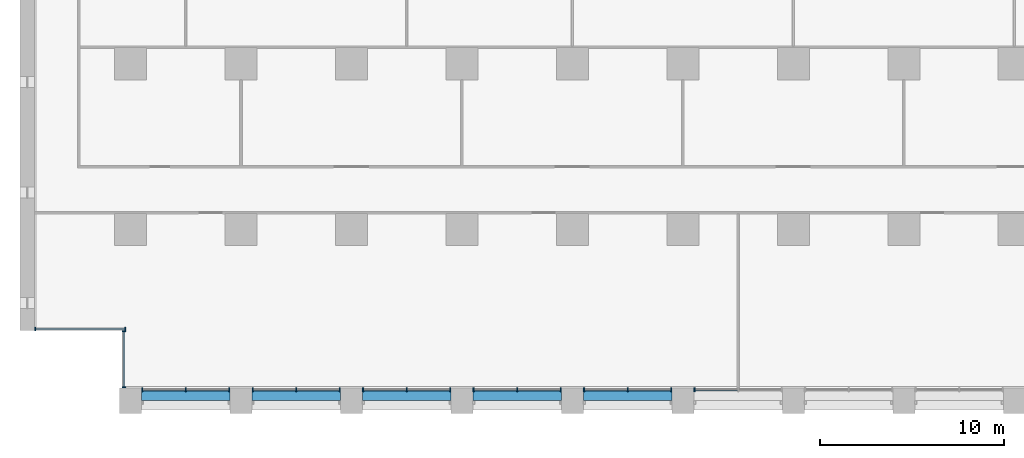
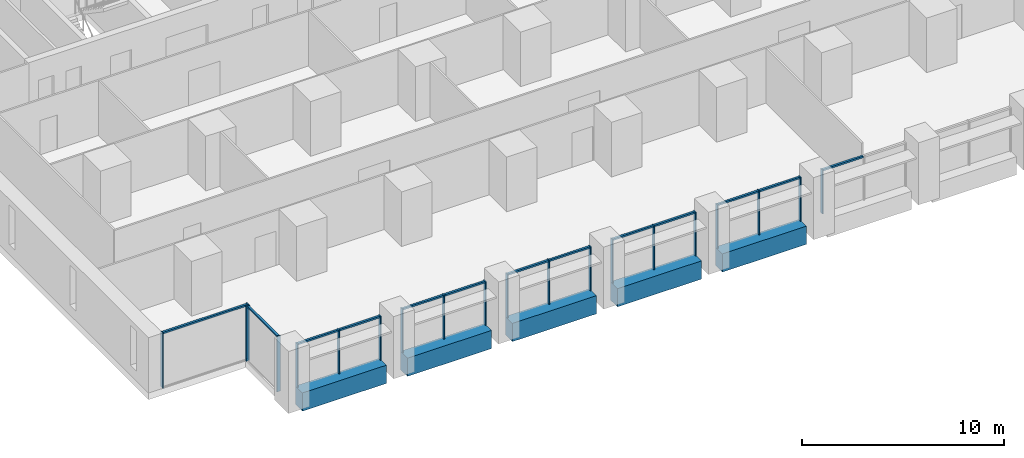
# One storey, part 2 of 18: 33 members, 5 beams, 8 elements without a shape of their own.
"""IFC4 building model written with IfcOpenShell, lengths in metres."""

from ifc_helpers import new_model, si_unit, direction, frame, origin, origin_2d, place, context, subcontext, project, spatial, rectangle, extrude, material, material_profile, profile_set, type_object, element, aggregate, save


model = new_model("IFC4")

# Units and contexts
model_context = context("Model", 3, precision=1e-05, world=origin(), true_north=direction((0.0, 1.0)))
body_context = subcontext(model_context, "Body", "Model", "MODEL_VIEW")
ifc_project = project(units=[si_unit("LENGTHUNIT", "METRE"), si_unit("AREAUNIT", "SQUARE_METRE"), si_unit("VOLUMEUNIT", "CUBIC_METRE"), si_unit("PLANEANGLEUNIT", "RADIAN"), si_unit("MASSUNIT", "GRAM", prefix="KILO")], contexts=[model_context])

# Site, building, storey
site_placement = place(None, origin())
site = spatial("IfcSite", under=ifc_project, at=site_placement, CompositionType="ELEMENT")
building_placement = place(site_placement, origin())
building = spatial("IfcBuilding", under=site, at=building_placement, Name="Calvaro Tower", CompositionType="ELEMENT")
storey_placement = place(building_placement, frame((0.0, 0.0, 41.25)))
storey = spatial("IfcBuildingStorey", under=building, at=storey_placement, Name="L09", CompositionType="ELEMENT", Elevation=41.25)

# Curtain wall, members
ifc_material_1 = material(Name="Anodised aluminium", Category="aluminium")
curtain_wall_type = type_object("IfcCurtainWallType", Name="Office curtain wall, lower zone", PredefinedType="NOTDEFINED", material=ifc_material_1)
curtain_wall_1_placement = place(storey_placement, origin())
curtain_wall_1 = element("IfcCurtainWall", 1, at=curtain_wall_1_placement, inside=storey, type_object=curtain_wall_type, Name="CW1 south curtain wall", PredefinedType="NOTDEFINED")
ifc_material_2 = material(Name="Anodised aluminium", Category="aluminium")
ifc_material_profile_1 = material_profile(ifc_material_2, rectangle(XDim=0.199951171875, YDim=0.06005859375, at=origin_2d()), Name="Mullion S1 60 x 200")
ifc_profile_set_1 = profile_set([ifc_material_profile_1], Name="Anodised aluminium")
member_type_1 = type_object("IfcMemberType", Name="Mullion S1 60 x 200", PredefinedType="MULLION", material=ifc_profile_set_1)
member_1_placement = place(storey_placement, frame((6.6298828125, 1.300048828125, 0.0), z_axis=(0.0, 0.0, 1.0), x_axis=(0.0, 1.0, 0.0)))
member_1 = element("IfcMember", 2, at=member_1_placement, type_object=member_type_1, Name="CW1 mullion 1", PredefinedType="MULLION", context=body_context, shape_type="SweptSolid", body=[
    extrude(rectangle(XDim=0.199951171875, YDim=0.06005859375, at=origin_2d()), origin(), (0.0, 0.0, 1.0), 2.64990234375),
])
member_2_placement = place(storey_placement, frame((9.0, 1.300048828125, 0.0), z_axis=(0.0, 0.0, 1.0), x_axis=(0.0, 1.0, 0.0)))
member_2 = element("IfcMember", 3, at=member_2_placement, type_object=member_type_1, Name="CW1 mullion 2", PredefinedType="MULLION", context=body_context, shape_type="SweptSolid", body=[
    extrude(rectangle(XDim=0.199951171875, YDim=0.06005859375, at=origin_2d()), origin(), (0.0, 0.0, 1.0), 2.64990234375),
])
member_3_placement = place(storey_placement, frame((11.3701171875, 1.300048828125, 0.0), z_axis=(0.0, 0.0, 1.0), x_axis=(0.0, 1.0, 0.0)))
member_3 = element("IfcMember", 4, at=member_3_placement, type_object=member_type_1, Name="CW1 mullion 3", PredefinedType="MULLION", context=body_context, shape_type="SweptSolid", body=[
    extrude(rectangle(XDim=0.199951171875, YDim=0.06005859375, at=origin_2d()), origin(), (0.0, 0.0, 1.0), 2.64990234375),
])

curtain_wall_2_placement = place(storey_placement, origin())
curtain_wall_2 = element("IfcCurtainWall", 5, at=curtain_wall_2_placement, inside=storey, type_object=curtain_wall_type, Name="CW1 south curtain wall", PredefinedType="NOTDEFINED")
member_4_placement = place(storey_placement, frame((12.6298828125, 1.300048828125, 0.0), z_axis=(0.0, 0.0, 1.0), x_axis=(0.0, 1.0, 0.0)))
member_4 = element("IfcMember", 6, at=member_4_placement, type_object=member_type_1, Name="CW1 mullion 1", PredefinedType="MULLION", context=body_context, shape_type="SweptSolid", body=[
    extrude(rectangle(XDim=0.199951171875, YDim=0.06005859375, at=origin_2d()), origin(), (0.0, 0.0, 1.0), 2.64990234375),
])
member_5_placement = place(storey_placement, frame((15.0, 1.300048828125, 0.0), z_axis=(0.0, 0.0, 1.0), x_axis=(0.0, 1.0, 0.0)))
member_5 = element("IfcMember", 7, at=member_5_placement, type_object=member_type_1, Name="CW1 mullion 2", PredefinedType="MULLION", context=body_context, shape_type="SweptSolid", body=[
    extrude(rectangle(XDim=0.199951171875, YDim=0.06005859375, at=origin_2d()), origin(), (0.0, 0.0, 1.0), 2.64990234375),
])
member_6_placement = place(storey_placement, frame((17.3701171875, 1.300048828125, 0.0), z_axis=(0.0, 0.0, 1.0), x_axis=(0.0, 1.0, 0.0)))
member_6 = element("IfcMember", 8, at=member_6_placement, type_object=member_type_1, Name="CW1 mullion 3", PredefinedType="MULLION", context=body_context, shape_type="SweptSolid", body=[
    extrude(rectangle(XDim=0.199951171875, YDim=0.06005859375, at=origin_2d()), origin(), (0.0, 0.0, 1.0), 2.64990234375),
])

curtain_wall_3_placement = place(storey_placement, origin())
curtain_wall_3 = element("IfcCurtainWall", 9, at=curtain_wall_3_placement, inside=storey, type_object=curtain_wall_type, Name="CW1 south curtain wall", PredefinedType="NOTDEFINED")
member_7_placement = place(storey_placement, frame((18.6298828125, 1.300048828125, 0.0), z_axis=(0.0, 0.0, 1.0), x_axis=(0.0, 1.0, 0.0)))
member_7 = element("IfcMember", 10, at=member_7_placement, type_object=member_type_1, Name="CW1 mullion 1", PredefinedType="MULLION", context=body_context, shape_type="SweptSolid", body=[
    extrude(rectangle(XDim=0.199951171875, YDim=0.06005859375, at=origin_2d()), origin(), (0.0, 0.0, 1.0), 2.64990234375),
])
member_8_placement = place(storey_placement, frame((21.0, 1.300048828125, 0.0), z_axis=(0.0, 0.0, 1.0), x_axis=(0.0, 1.0, 0.0)))
member_8 = element("IfcMember", 11, at=member_8_placement, type_object=member_type_1, Name="CW1 mullion 2", PredefinedType="MULLION", context=body_context, shape_type="SweptSolid", body=[
    extrude(rectangle(XDim=0.199951171875, YDim=0.06005859375, at=origin_2d()), origin(), (0.0, 0.0, 1.0), 2.64990234375),
])
member_9_placement = place(storey_placement, frame((23.3701171875, 1.300048828125, 0.0), z_axis=(0.0, 0.0, 1.0), x_axis=(0.0, 1.0, 0.0)))
member_9 = element("IfcMember", 12, at=member_9_placement, type_object=member_type_1, Name="CW1 mullion 3", PredefinedType="MULLION", context=body_context, shape_type="SweptSolid", body=[
    extrude(rectangle(XDim=0.199951171875, YDim=0.06005859375, at=origin_2d()), origin(), (0.0, 0.0, 1.0), 2.64990234375),
])

curtain_wall_4_placement = place(storey_placement, origin())
curtain_wall_4 = element("IfcCurtainWall", 13, at=curtain_wall_4_placement, inside=storey, type_object=curtain_wall_type, Name="CW1 south curtain wall", PredefinedType="NOTDEFINED")
member_10_placement = place(storey_placement, frame((24.6298828125, 1.300048828125, 0.0), z_axis=(0.0, 0.0, 1.0), x_axis=(0.0, 1.0, 0.0)))
member_10 = element("IfcMember", 14, at=member_10_placement, type_object=member_type_1, Name="CW1 mullion 1", PredefinedType="MULLION", context=body_context, shape_type="SweptSolid", body=[
    extrude(rectangle(XDim=0.199951171875, YDim=0.06005859375, at=origin_2d()), origin(), (0.0, 0.0, 1.0), 2.64990234375),
])
member_11_placement = place(storey_placement, frame((27.0, 1.300048828125, 0.0), z_axis=(0.0, 0.0, 1.0), x_axis=(0.0, 1.0, 0.0)))
member_11 = element("IfcMember", 15, at=member_11_placement, type_object=member_type_1, Name="CW1 mullion 2", PredefinedType="MULLION", context=body_context, shape_type="SweptSolid", body=[
    extrude(rectangle(XDim=0.199951171875, YDim=0.06005859375, at=origin_2d()), origin(), (0.0, 0.0, 1.0), 2.64990234375),
])
member_12_placement = place(storey_placement, frame((29.3701171875, 1.300048828125, 0.0), z_axis=(0.0, 0.0, 1.0), x_axis=(0.0, 1.0, 0.0)))
member_12 = element("IfcMember", 16, at=member_12_placement, type_object=member_type_1, Name="CW1 mullion 3", PredefinedType="MULLION", context=body_context, shape_type="SweptSolid", body=[
    extrude(rectangle(XDim=0.199951171875, YDim=0.06005859375, at=origin_2d()), origin(), (0.0, 0.0, 1.0), 2.64990234375),
])

curtain_wall_5_placement = place(storey_placement, origin())
curtain_wall_5 = element("IfcCurtainWall", 17, at=curtain_wall_5_placement, inside=storey, type_object=curtain_wall_type, Name="CW1 south curtain wall", PredefinedType="NOTDEFINED")
member_13_placement = place(storey_placement, frame((30.6298828125, 1.300048828125, 0.0), z_axis=(0.0, 0.0, 1.0), x_axis=(0.0, 1.0, 0.0)))
member_13 = element("IfcMember", 18, at=member_13_placement, type_object=member_type_1, Name="CW1 mullion 1", PredefinedType="MULLION", context=body_context, shape_type="SweptSolid", body=[
    extrude(rectangle(XDim=0.199951171875, YDim=0.06005859375, at=origin_2d()), origin(), (0.0, 0.0, 1.0), 2.64990234375),
])
member_14_placement = place(storey_placement, frame((33.0, 1.300048828125, 0.0), z_axis=(0.0, 0.0, 1.0), x_axis=(0.0, 1.0, 0.0)))
member_14 = element("IfcMember", 19, at=member_14_placement, type_object=member_type_1, Name="CW1 mullion 2", PredefinedType="MULLION", context=body_context, shape_type="SweptSolid", body=[
    extrude(rectangle(XDim=0.199951171875, YDim=0.06005859375, at=origin_2d()), origin(), (0.0, 0.0, 1.0), 2.64990234375),
])
member_15_placement = place(storey_placement, frame((35.3701171875, 1.300048828125, 0.0), z_axis=(0.0, 0.0, 1.0), x_axis=(0.0, 1.0, 0.0)))
member_15 = element("IfcMember", 20, at=member_15_placement, type_object=member_type_1, Name="CW1 mullion 3", PredefinedType="MULLION", context=body_context, shape_type="SweptSolid", body=[
    extrude(rectangle(XDim=0.199951171875, YDim=0.06005859375, at=origin_2d()), origin(), (0.0, 0.0, 1.0), 2.64990234375),
])

# Curtain wall, member
curtain_wall_6_placement = place(storey_placement, origin())
curtain_wall_6 = element("IfcCurtainWall", 21, at=curtain_wall_6_placement, inside=storey, type_object=curtain_wall_type, Name="CW1 south curtain wall", PredefinedType="NOTDEFINED")
member_16_placement = place(storey_placement, frame((36.6298828125, 1.300048828125, 0.0), z_axis=(0.0, 0.0, 1.0), x_axis=(0.0, 1.0, 0.0)))
member_16 = element("IfcMember", 22, at=member_16_placement, type_object=member_type_1, Name="CW1 mullion 1", PredefinedType="MULLION", context=body_context, shape_type="SweptSolid", body=[
    extrude(rectangle(XDim=0.199951171875, YDim=0.06005859375, at=origin_2d()), origin(), (0.0, 0.0, 1.0), 2.64990234375),
])

# Curtain wall, members
curtain_wall_7_placement = place(storey_placement, origin())
curtain_wall_7 = element("IfcCurtainWall", 23, at=curtain_wall_7_placement, inside=storey, type_object=curtain_wall_type, Name="CW1 corner curtain wall", PredefinedType="NOTDEFINED")
member_17_placement = place(storey_placement, frame((5.64990234375, 1.429931640625, 0.0), z_axis=(0.0, 0.0, 1.0), x_axis=(-1.0, 0.0, 0.0)))
member_17 = element("IfcMember", 24, at=member_17_placement, type_object=member_type_1, Name="CW1 mullion 1", PredefinedType="MULLION", context=body_context, shape_type="SweptSolid", body=[
    extrude(rectangle(XDim=0.199951171875, YDim=0.06005859375, at=origin_2d()), origin(), (0.0, 0.0, 1.0), 3.35009765625),
])
member_18_placement = place(storey_placement, frame((5.64990234375, 4.469970703125, 0.0), z_axis=(0.0, 0.0, 1.0), x_axis=(-1.0, 0.0, 0.0)))
member_18 = element("IfcMember", 25, at=member_18_placement, type_object=member_type_1, Name="CW1 mullion 2", PredefinedType="MULLION", context=body_context, shape_type="SweptSolid", body=[
    extrude(rectangle(XDim=0.199951171875, YDim=0.06005859375, at=origin_2d()), origin(), (0.0, 0.0, 1.0), 3.35009765625),
])

curtain_wall_8_placement = place(storey_placement, origin())
curtain_wall_8 = element("IfcCurtainWall", 26, at=curtain_wall_8_placement, inside=storey, type_object=curtain_wall_type, Name="CW1 corner curtain wall", PredefinedType="NOTDEFINED")
member_19_placement = place(storey_placement, frame((0.830078125, 4.60009765625, 0.0), z_axis=(0.0, 0.0, 1.0), x_axis=(0.0, 1.0, 0.0)))
member_19 = element("IfcMember", 27, at=member_19_placement, type_object=member_type_1, Name="CW1 mullion 1", PredefinedType="MULLION", context=body_context, shape_type="SweptSolid", body=[
    extrude(rectangle(XDim=0.199951171875, YDim=0.06005859375, at=origin_2d()), origin(), (0.0, 0.0, 1.0), 3.35009765625),
])
member_20_placement = place(storey_placement, frame((5.719970703125, 4.60009765625, 0.0), z_axis=(0.0, 0.0, 1.0), x_axis=(0.0, 1.0, 0.0)))
member_20 = element("IfcMember", 28, at=member_20_placement, type_object=member_type_1, Name="CW1 mullion 2", PredefinedType="MULLION", context=body_context, shape_type="SweptSolid", body=[
    extrude(rectangle(XDim=0.199951171875, YDim=0.06005859375, at=origin_2d()), origin(), (0.0, 0.0, 1.0), 3.35009765625),
])

# Beams
ifc_material_3 = material(Name="Concrete C50/60 precast", Category="concrete")
ifc_material_profile_2 = material_profile(ifc_material_3, rectangle(XDim=0.699951171875, YDim=1.10009765625, at=origin_2d()), Name="RC 700x1100")
ifc_profile_set_2 = profile_set([ifc_material_profile_2], Name="Concrete C50/60 precast")
beam_type = type_object("IfcBeamType", Name="Spandrel beam 700x1100 C50/60", PredefinedType="SPANDREL", material=ifc_profile_set_2)
for number, where, z_axis, x_axis, name in (
    (29, (6.60009765625, 1.050048828125, -0.550048828125), (1.0, 0.0, 0.0), (0.0, 1.0, 0.0), "Spandrel beam"),
    (30, (12.60009765625, 1.050048828125, -0.550048828125), (1.0, 0.0, 0.0), (0.0, 1.0, 0.0), "Spandrel beam"),
    (31, (18.60009765625, 1.050048828125, -0.550048828125), (1.0, 0.0, 0.0), (0.0, 1.0, 0.0), "Spandrel beam"),
    (32, (24.60009765625, 1.050048828125, -0.550048828125), (1.0, 0.0, 0.0), (0.0, 1.0, 0.0), "Spandrel beam"),
    (33, (30.60009765625, 1.050048828125, -0.550048828125), (1.0, 0.0, 0.0), (0.0, 1.0, 0.0), "Spandrel beam"),
):
    element("IfcBeam", number, at=place(storey_placement, frame(where, z_axis=z_axis, x_axis=x_axis)), inside=storey, type_object=beam_type, Name=name, PredefinedType="SPANDREL", context=body_context, shape_type="SweptSolid", body=[
        extrude(rectangle(XDim=0.699951171875, YDim=1.10009765625, at=origin_2d()), origin(), (0.0, 0.0, 1.0), 4.7998046875),
    ])

# Member
ifc_material_4 = material(Name="Anodised aluminium", Category="aluminium")
ifc_material_profile_3 = material_profile(ifc_material_4, rectangle(XDim=0.1201171875, YDim=0.10009765625, at=origin_2d()), Name="Transom S1 100 x 120")
ifc_profile_set_3 = profile_set([ifc_material_profile_3], Name="Anodised aluminium")
member_type_2 = type_object("IfcMemberType", Name="Transom S1 100 x 120", PredefinedType="USERDEFINED", material=ifc_profile_set_3)
member_21_placement = place(storey_placement, frame((6.659912109375, 1.300048828125, 2.60009765625), z_axis=(1.0, 0.0, 0.0), x_axis=(0.0, 1.0, 0.0)))
member_21 = element("IfcMember", 34, at=member_21_placement, type_object=member_type_2, Name="CW1 transom 1.1", ObjectType="TRANSOM", PredefinedType="USERDEFINED", context=body_context, shape_type="SweptSolid", body=[
    extrude(rectangle(XDim=0.1201171875, YDim=0.10009765625, at=origin_2d()), origin(), (0.0, 0.0, 1.0), 2.31005859375),
])

member_22_placement = place(storey_placement, frame((9.030029296875, 1.300048828125, 2.60009765625), z_axis=(1.0, 0.0, 0.0), x_axis=(0.0, 1.0, 0.0)))
member_22 = element("IfcMember", 35, at=member_22_placement, type_object=member_type_2, Name="CW1 transom 2.1", ObjectType="TRANSOM", PredefinedType="USERDEFINED", context=body_context, shape_type="SweptSolid", body=[
    extrude(rectangle(XDim=0.1201171875, YDim=0.10009765625, at=origin_2d()), origin(), (0.0, 0.0, 1.0), 2.31005859375),
])

aggregate(curtain_wall_1, [member_1, member_2, member_3, member_21, member_22])

member_23_placement = place(storey_placement, frame((12.659912109375, 1.300048828125, 2.60009765625), z_axis=(1.0, 0.0, 0.0), x_axis=(0.0, 1.0, 0.0)))
member_23 = element("IfcMember", 36, at=member_23_placement, type_object=member_type_2, Name="CW1 transom 1.1", ObjectType="TRANSOM", PredefinedType="USERDEFINED", context=body_context, shape_type="SweptSolid", body=[
    extrude(rectangle(XDim=0.1201171875, YDim=0.10009765625, at=origin_2d()), origin(), (0.0, 0.0, 1.0), 2.31005859375),
])

member_24_placement = place(storey_placement, frame((15.030029296875, 1.300048828125, 2.60009765625), z_axis=(1.0, 0.0, 0.0), x_axis=(0.0, 1.0, 0.0)))
member_24 = element("IfcMember", 37, at=member_24_placement, type_object=member_type_2, Name="CW1 transom 2.1", ObjectType="TRANSOM", PredefinedType="USERDEFINED", context=body_context, shape_type="SweptSolid", body=[
    extrude(rectangle(XDim=0.1201171875, YDim=0.10009765625, at=origin_2d()), origin(), (0.0, 0.0, 1.0), 2.31005859375),
])

aggregate(curtain_wall_2, [member_4, member_5, member_6, member_23, member_24])

member_25_placement = place(storey_placement, frame((18.659912109375, 1.300048828125, 2.60009765625), z_axis=(1.0, 0.0, 0.0), x_axis=(0.0, 1.0, 0.0)))
member_25 = element("IfcMember", 38, at=member_25_placement, type_object=member_type_2, Name="CW1 transom 1.1", ObjectType="TRANSOM", PredefinedType="USERDEFINED", context=body_context, shape_type="SweptSolid", body=[
    extrude(rectangle(XDim=0.1201171875, YDim=0.10009765625, at=origin_2d()), origin(), (0.0, 0.0, 1.0), 2.31005859375),
])

member_26_placement = place(storey_placement, frame((21.030029296875, 1.300048828125, 2.60009765625), z_axis=(1.0, 0.0, 0.0), x_axis=(0.0, 1.0, 0.0)))
member_26 = element("IfcMember", 39, at=member_26_placement, type_object=member_type_2, Name="CW1 transom 2.1", ObjectType="TRANSOM", PredefinedType="USERDEFINED", context=body_context, shape_type="SweptSolid", body=[
    extrude(rectangle(XDim=0.1201171875, YDim=0.10009765625, at=origin_2d()), origin(), (0.0, 0.0, 1.0), 2.31005859375),
])

aggregate(curtain_wall_3, [member_7, member_8, member_9, member_25, member_26])

member_27_placement = place(storey_placement, frame((24.659912109375, 1.300048828125, 2.60009765625), z_axis=(1.0, 0.0, 0.0), x_axis=(0.0, 1.0, 0.0)))
member_27 = element("IfcMember", 40, at=member_27_placement, type_object=member_type_2, Name="CW1 transom 1.1", ObjectType="TRANSOM", PredefinedType="USERDEFINED", context=body_context, shape_type="SweptSolid", body=[
    extrude(rectangle(XDim=0.1201171875, YDim=0.10009765625, at=origin_2d()), origin(), (0.0, 0.0, 1.0), 2.31005859375),
])

member_28_placement = place(storey_placement, frame((27.030029296875, 1.300048828125, 2.60009765625), z_axis=(1.0, 0.0, 0.0), x_axis=(0.0, 1.0, 0.0)))
member_28 = element("IfcMember", 41, at=member_28_placement, type_object=member_type_2, Name="CW1 transom 2.1", ObjectType="TRANSOM", PredefinedType="USERDEFINED", context=body_context, shape_type="SweptSolid", body=[
    extrude(rectangle(XDim=0.1201171875, YDim=0.10009765625, at=origin_2d()), origin(), (0.0, 0.0, 1.0), 2.31005859375),
])

aggregate(curtain_wall_4, [member_10, member_11, member_12, member_27, member_28])

member_29_placement = place(storey_placement, frame((30.659912109375, 1.300048828125, 2.60009765625), z_axis=(1.0, 0.0, 0.0), x_axis=(0.0, 1.0, 0.0)))
member_29 = element("IfcMember", 42, at=member_29_placement, type_object=member_type_2, Name="CW1 transom 1.1", ObjectType="TRANSOM", PredefinedType="USERDEFINED", context=body_context, shape_type="SweptSolid", body=[
    extrude(rectangle(XDim=0.1201171875, YDim=0.10009765625, at=origin_2d()), origin(), (0.0, 0.0, 1.0), 2.31005859375),
])

member_30_placement = place(storey_placement, frame((33.030029296875, 1.300048828125, 2.60009765625), z_axis=(1.0, 0.0, 0.0), x_axis=(0.0, 1.0, 0.0)))
member_30 = element("IfcMember", 43, at=member_30_placement, type_object=member_type_2, Name="CW1 transom 2.1", ObjectType="TRANSOM", PredefinedType="USERDEFINED", context=body_context, shape_type="SweptSolid", body=[
    extrude(rectangle(XDim=0.1201171875, YDim=0.10009765625, at=origin_2d()), origin(), (0.0, 0.0, 1.0), 2.31005859375),
])

aggregate(curtain_wall_5, [member_13, member_14, member_15, member_29, member_30])

member_31_placement = place(storey_placement, frame((36.659912109375, 1.300048828125, 2.60009765625), z_axis=(1.0, 0.0, 0.0), x_axis=(0.0, 1.0, 0.0)))
member_31 = element("IfcMember", 44, at=member_31_placement, type_object=member_type_2, Name="CW1 transom 1.1", ObjectType="TRANSOM", PredefinedType="USERDEFINED", context=body_context, shape_type="SweptSolid", body=[
    extrude(rectangle(XDim=0.1201171875, YDim=0.10009765625, at=origin_2d()), origin(), (0.0, 0.0, 1.0), 2.31005859375),
])

aggregate(curtain_wall_6, [member_16, member_31])

member_32_placement = place(storey_placement, frame((5.64990234375, 1.4599609375, 3.300048828125), z_axis=(0.0, 1.0, 0.0), x_axis=(-1.0, 0.0, 0.0)))
member_32 = element("IfcMember", 45, at=member_32_placement, type_object=member_type_2, Name="CW1 transom 1.1", ObjectType="TRANSOM", PredefinedType="USERDEFINED", context=body_context, shape_type="SweptSolid", body=[
    extrude(rectangle(XDim=0.1201171875, YDim=0.10009765625, at=origin_2d()), origin(), (0.0, 0.0, 1.0), 2.97998046875),
])

aggregate(curtain_wall_7, [member_17, member_18, member_32])

member_33_placement = place(storey_placement, frame((0.860107421875, 4.60009765625, 3.300048828125), z_axis=(1.0, 0.0, 0.0), x_axis=(0.0, 1.0, 0.0)))
member_33 = element("IfcMember", 46, at=member_33_placement, type_object=member_type_2, Name="CW1 transom 1.1", ObjectType="TRANSOM", PredefinedType="USERDEFINED", context=body_context, shape_type="SweptSolid", body=[
    extrude(rectangle(XDim=0.1201171875, YDim=0.10009765625, at=origin_2d()), origin(), (0.0, 0.0, 1.0), 4.829833984375),
])

aggregate(curtain_wall_8, [member_19, member_20, member_33])

save(model, "model.ifc")
